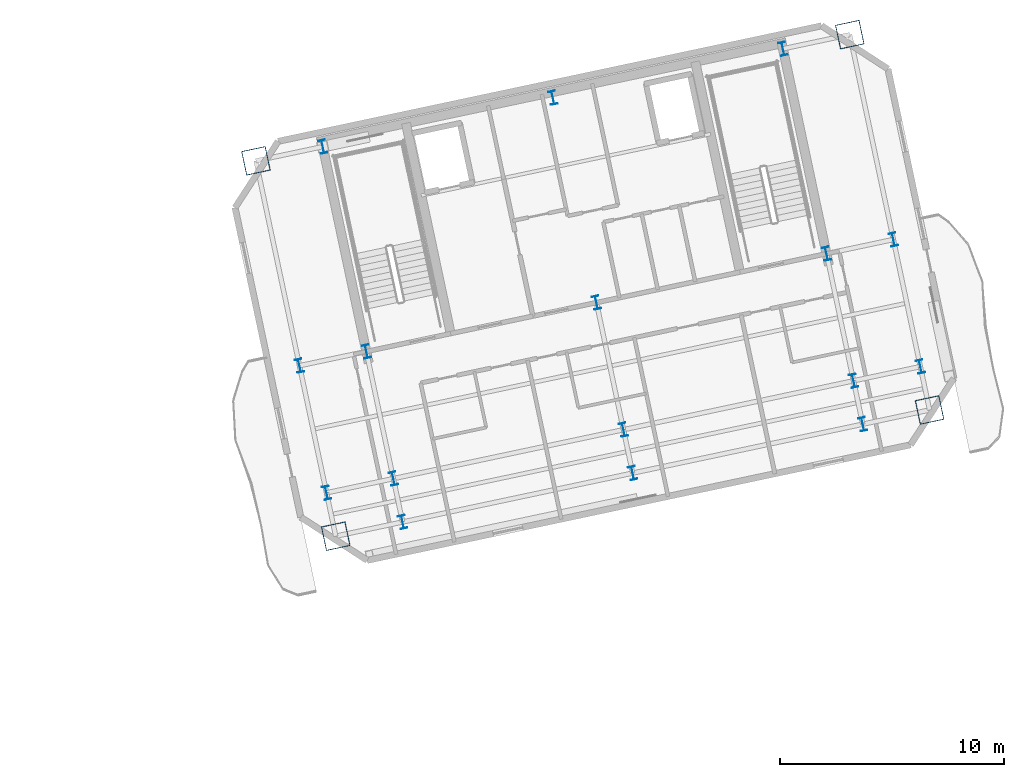
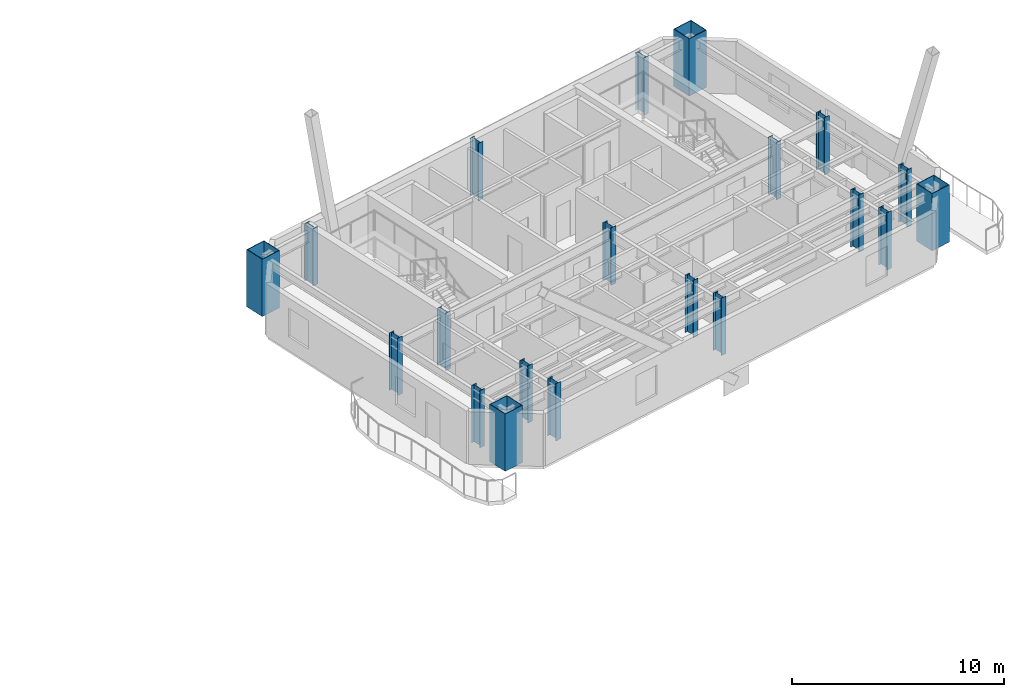
# One storey, part 2 of 14: 20 columns.
"""IFC4 building model written with IfcOpenShell, lengths in metres."""

from ifc_helpers import new_model, si_unit, direction, frame, origin, origin_2d, place, context, subcontext, project, spatial, hollow_rectangle, i_section, extrude, material, material_profile, profile_set, type_object, element, save


model = new_model("IFC4")

# Units and contexts
model_context = context("Model", 3, precision=1e-05, world=origin(), true_north=direction((0.0, 1.0)))
body_context = subcontext(model_context, "Body", "Model", "MODEL_VIEW")
ifc_project = project(units=[si_unit("LENGTHUNIT", "METRE"), si_unit("AREAUNIT", "SQUARE_METRE"), si_unit("VOLUMEUNIT", "CUBIC_METRE"), si_unit("PLANEANGLEUNIT", "RADIAN"), si_unit("MASSUNIT", "GRAM", prefix="KILO")], contexts=[model_context])

# Site, building, storey
site_placement = place(None, origin())
site = spatial("IfcSite", under=ifc_project, at=site_placement, CompositionType="ELEMENT")
building_placement = place(site_placement, origin())
building = spatial("IfcBuilding", under=site, at=building_placement, Name="Haevon Station Towers", CompositionType="ELEMENT")
storey_placement = place(building_placement, frame((0.0, 0.0, 208.800048828125)))
storey = spatial("IfcBuildingStorey", under=building, at=storey_placement, Name="L57", CompositionType="ELEMENT", Elevation=208.800048828125)

# Columns
ifc_material_1 = material(Name="Steel S460", Category="steel")
ifc_material_profile_1 = material_profile(ifc_material_1, hollow_rectangle(XDim=1.10009765625, YDim=1.10009765625, WallThickness=0.031982421875, at=origin_2d()), Name="BOX-1100x1100x32")
ifc_profile_set_1 = profile_set([ifc_material_profile_1], Name="Steel S460")
column_type_1 = type_object("IfcColumnType", Name="COL-MC5", PredefinedType="COLUMN", material=ifc_profile_set_1)
for number, where, z_axis, x_axis, name in (
    (1, (97.386474609375, 29.1982421875, 0.0), (0.0, 0.0, 1.0), (0.978147600734, 0.207911690818, 0.0), "COL-T2-L57-01-01"),
    (2, (93.824951171875, 45.953857421875, 0.0), (0.0, 0.0, 1.0), (0.978147600734, 0.207911690818, 0.0), "COL-T2-L57-01-04"),
    (3, (123.894287109375, 34.832763671875, 0.0), (0.0, 0.0, 1.0), (0.978147600734, 0.207911690818, 0.0), "COL-T2-L57-05-01"),
    (4, (120.332763671875, 51.58837890625, 0.0), (0.0, 0.0, 1.0), (0.978147600734, 0.207911690818, 0.0), "COL-T2-L57-05-04"),
):
    element("IfcColumn", number, at=place(storey_placement, frame(where, z_axis=z_axis, x_axis=x_axis)), inside=storey, type_object=column_type_1, Name=name, PredefinedType="COLUMN", context=body_context, shape_type="SweptSolid", body=[
        extrude(hollow_rectangle(XDim=1.10009765625, YDim=1.10009765625, WallThickness=0.031982421875, at=origin_2d()), origin(), (0.0, 0.0, 1.0), 3.300048828125),
    ])
ifc_material_2 = material(Name="Steel S355", Category="steel")
ifc_material_profile_2 = material_profile(ifc_material_2, i_section(OverallWidth=0.300048828125, OverallDepth=0.60009765625, WebThickness=0.013916015625, FlangeThickness=0.02490234375, at=origin_2d()), Name="H-600x300x14x25")
ifc_profile_set_2 = profile_set([ifc_material_profile_2], Name="Steel S355")
column_type_2 = type_object("IfcColumnType", Name="COL-TW4", PredefinedType="COLUMN", material=ifc_profile_set_2)
for number, where, z_axis, x_axis, name in (
    (5, (96.974853515625, 31.135009765625, 0.0), (0.0, 0.0, 1.0), (0.978147600734, 0.207911690818, 0.0), "COL-T2-L57-01-02"),
    (6, (95.76904296875, 36.808349609375, 0.0), (0.0, 0.0, 1.0), (0.978147600734, 0.207911690818, 0.0), "COL-T2-L57-01-03"),
    (7, (100.369873046875, 29.83251953125, 0.0), (0.0, 0.0, 1.0), (0.978147600734, 0.207911690818, 0.0), "COL-T2-L57-02-01"),
    (8, (99.958251953125, 31.76904296875, 0.0), (0.0, 0.0, 1.0), (0.978147600734, 0.207911690818, 0.0), "COL-T2-L57-02-02"),
    (9, (98.75244140625, 37.4423828125, 0.0), (0.0, 0.0, 1.0), (0.978147600734, 0.207911690818, 0.0), "COL-T2-L57-02-03"),
    (10, (96.808349609375, 46.588134765625, 0.0), (0.0, 0.0, 1.0), (0.978147600734, 0.207911690818, 0.0), "COL-T2-L57-02-04"),
    (11, (110.640380859375, 32.015380859375, 0.0), (0.0, 0.0, 1.0), (0.978147600734, 0.207911690818, 0.0), "COL-T2-L57-03-01"),
    (12, (110.228759765625, 33.9521484375, 0.0), (0.0, 0.0, 1.0), (0.978147600734, 0.207911690818, 0.0), "COL-T2-L57-03-02"),
    (13, (109.02294921875, 39.62548828125, 0.0), (0.0, 0.0, 1.0), (0.978147600734, 0.207911690818, 0.0), "COL-T2-L57-03-03"),
    (14, (107.078857421875, 48.771240234375, 0.0), (0.0, 0.0, 1.0), (0.978147600734, 0.207911690818, 0.0), "COL-T2-L57-03-04"),
    (15, (120.910888671875, 34.198486328125, 0.0), (0.0, 0.0, 1.0), (0.978147600734, 0.207911690818, 0.0), "COL-T2-L57-04-01"),
    (16, (120.499267578125, 36.13525390625, 0.0), (0.0, 0.0, 1.0), (0.978147600734, 0.207911690818, 0.0), "COL-T2-L57-04-02"),
    (17, (119.29345703125, 41.80859375, 0.0), (0.0, 0.0, 1.0), (0.978147600734, 0.207911690818, 0.0), "COL-T2-L57-04-03"),
    (18, (117.349365234375, 50.954345703125, 0.0), (0.0, 0.0, 1.0), (0.978147600734, 0.207911690818, 0.0), "COL-T2-L57-04-04"),
    (19, (123.482666015625, 36.76953125, 0.0), (0.0, 0.0, 1.0), (0.978147600734, 0.207911690818, 0.0), "COL-T2-L57-05-02"),
    (20, (122.27685546875, 42.442626953125, 0.0), (0.0, 0.0, 1.0), (0.978147600734, 0.207911690818, 0.0), "COL-T2-L57-05-03"),
):
    element("IfcColumn", number, at=place(storey_placement, frame(where, z_axis=z_axis, x_axis=x_axis)), inside=storey, type_object=column_type_2, Name=name, PredefinedType="COLUMN", context=body_context, shape_type="SweptSolid", body=[
        extrude(i_section(OverallWidth=0.300048828125, OverallDepth=0.60009765625, WebThickness=0.013916015625, FlangeThickness=0.02490234375, at=origin_2d()), origin(), (0.0, 0.0, 1.0), 3.300048828125),
    ])

save(model, "model.ifc")
